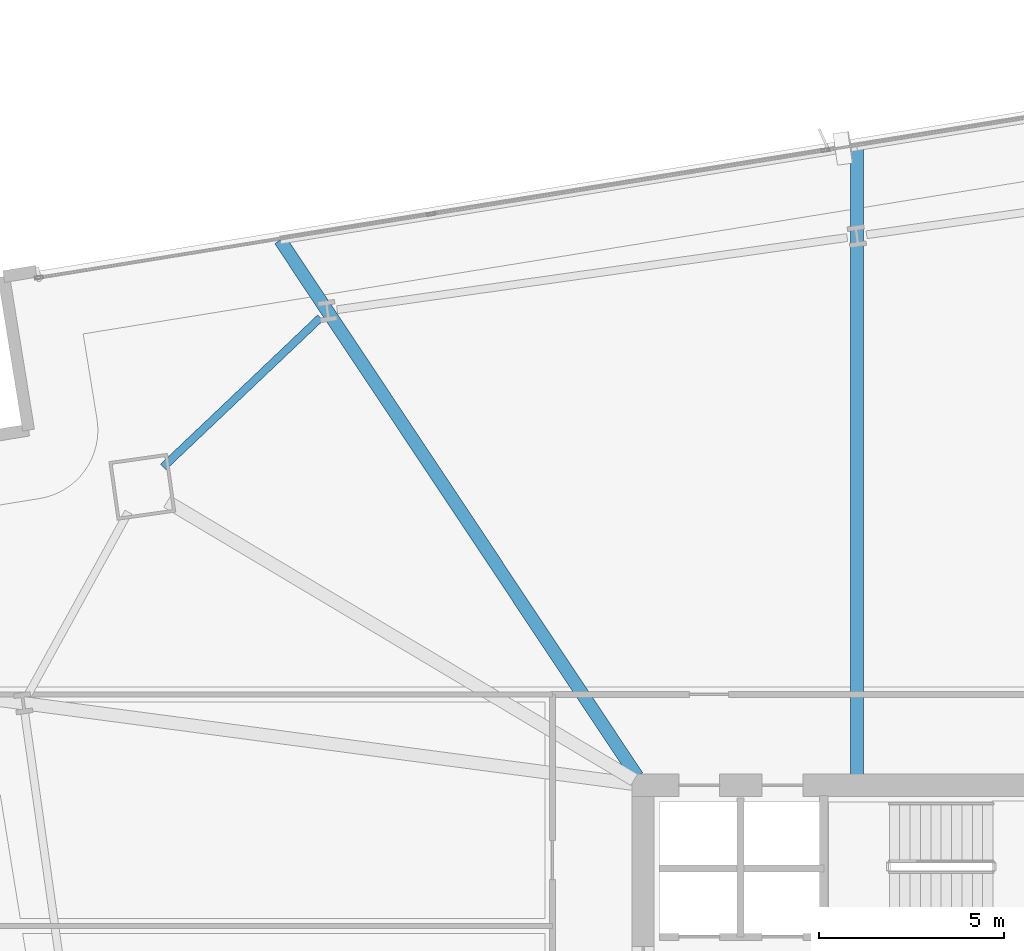
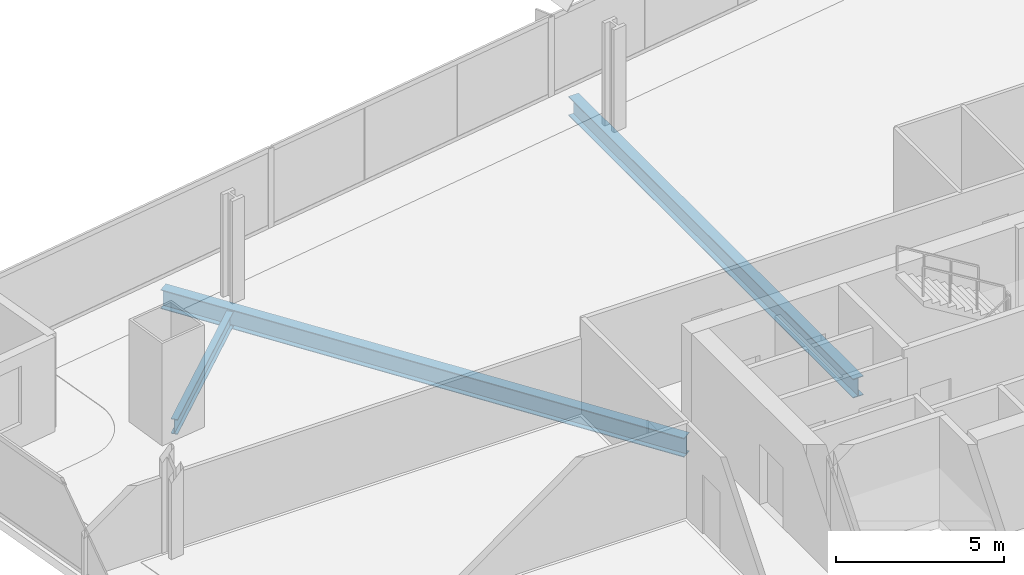
# One storey, part 17 of 33: 3 beams.
"""IFC4 building model written with IfcOpenShell, lengths in metres."""

import ifcopenshell
import ifcopenshell.guid

model = None  # the IFC model being written
_history = None  # IfcOwnerHistory: only IFC2X3 demands one
_inside = {}  # id of a spatial element -> (the spatial element, [elements in it])
_under = {}  # id of a project, library or spatial element -> (it, [spatial elements below it])
_declared = {}  # id of a project -> (the project, [libraries it declares])
_typed = {}  # id of a type object -> (the type object, [elements of that type])
_made_of = {}  # id of a material, layer set ... -> (it, [elements and type objects made of it])


def new_model(schema):
    """Start an empty IFC model of exactly this schema.

    Asked for "IFC4X3", IfcOpenShell would pick the latest addendum, in which some entities
    have other attributes; the version numbers below select the first issue.
    IFC2X3 requires an IfcOwnerHistory on every rooted entity: one is made here for all.
    """
    global model, _history
    if schema == "IFC4X3":
        model = ifcopenshell.file(schema_version=(4, 3, 0, 0))
    else:
        model = ifcopenshell.file(schema=schema)
    _inside.clear()
    _under.clear()
    _declared.clear()
    _typed.clear()
    _made_of.clear()
    _history = None
    if model.schema == "IFC2X3":
        org = make("IfcOrganization", Name="unknown")
        user = make(
            "IfcPersonAndOrganization",
            ThePerson=make("IfcPerson", FamilyName="unknown"),
            TheOrganization=org,
        )
        app = make(
            "IfcApplication",
            ApplicationDeveloper=org,
            Version="unknown",
            ApplicationFullName="unknown",
            ApplicationIdentifier="unknown",
        )
        _history = make(
            "IfcOwnerHistory",
            OwningUser=user,
            OwningApplication=app,
            ChangeAction="ADDED",
            CreationDate=0,
        )
    return model


def make(cls, **values):
    """One entity of the class cls with the attributes given. An attribute that is None is left unset."""
    return model.create_entity(
        cls, **{name: value for name, value in values.items() if value is not None}
    )


def rooted(cls, **values):
    """An entity with a GlobalId (a new one), such as an element, a storey or a relation."""
    return make(cls, GlobalId=ifcopenshell.guid.new(), OwnerHistory=_history, **values)


def si_unit(unit_type, name, prefix=None):
    """IfcSIUnit, for example si_unit("LENGTHUNIT", "METRE", prefix="MILLI")."""
    return make("IfcSIUnit", UnitType=unit_type, Prefix=prefix, Name=name)


def assignment(units):
    """IfcUnitAssignment: the units of a project."""
    return None if units is None else make("IfcUnitAssignment", Units=units)


def point(xyz):
    """IfcCartesianPoint."""
    return None if xyz is None else make("IfcCartesianPoint", Coordinates=xyz)


def direction(xyz):
    """IfcDirection."""
    return None if xyz is None else make("IfcDirection", DirectionRatios=xyz)


def frame(location, z_axis=None, x_axis=None):
    """IfcAxis2Placement3D, a coordinate frame: its origin and axes. An axis left out is left unset."""
    return make(
        "IfcAxis2Placement3D",
        Location=point(location),
        Axis=direction(z_axis),
        RefDirection=direction(x_axis),
    )


def frame_2d(location, x_axis=None):
    """IfcAxis2Placement2D, a coordinate frame in the plane: its origin and x axis."""
    return make(
        "IfcAxis2Placement2D", Location=point(location), RefDirection=direction(x_axis)
    )


def origin():
    """The frame at (0, 0, 0) with its axes left unset."""
    return frame((0.0, 0.0, 0.0))


def origin_2d():
    """The frame at (0, 0) in the plane with its x axis left unset."""
    return frame_2d((0.0, 0.0))


def place(relative_to, where):
    """IfcLocalPlacement: puts the frame where relative to a parent placement (None: the world)."""
    return make(
        "IfcLocalPlacement", PlacementRelTo=relative_to, RelativePlacement=where
    )


def context(
    kind, dimensions, precision=None, world=None, true_north=None, identifier=None
):
    """IfcGeometricRepresentationContext, for example the 3D "Model" context."""
    return make(
        "IfcGeometricRepresentationContext",
        ContextIdentifier=identifier,
        ContextType=kind,
        CoordinateSpaceDimension=dimensions,
        Precision=precision,
        WorldCoordinateSystem=world,
        TrueNorth=true_north,
    )


def subcontext(parent, identifier, kind, view, scale=None):
    """IfcGeometricRepresentationSubContext, for example "Body" below "Model"."""
    return make(
        "IfcGeometricRepresentationSubContext",
        ContextIdentifier=identifier,
        ContextType=kind,
        ParentContext=parent,
        TargetScale=scale,
        TargetView=view,
    )


def project(units=None, contexts=None):
    """IfcProject with its units and contexts."""
    return rooted(
        "IfcProject",
        Name="project",
        RepresentationContexts=contexts,
        UnitsInContext=assignment(units),
    )


def spatial(cls, under=None, at=None, **own):
    """A site, building, storey or space (cls), placed at a placement, below another one or the project."""
    s = rooted(cls, ObjectPlacement=at, **own)
    if under is not None:
        _under.setdefault(under.id(), (under, []))[1].append(s)
    return s


def profile(cls, at=None, kind="AREA", **sizes):
    """A parametric profile (cls). Its sizes go by their IFC names, for example OverallWidth=200.0."""
    return make(cls, ProfileType=kind, Position=at, **sizes)


def i_section(**sizes):
    """IfcIShapeProfileDef."""
    return profile("IfcIShapeProfileDef", **sizes)


def extrude(swept, where, along, depth):
    """IfcExtrudedAreaSolid: the profile swept, set in the frame where, extruded along a direction by depth."""
    return make(
        "IfcExtrudedAreaSolid",
        SweptArea=swept,
        Position=where,
        ExtrudedDirection=direction(along),
        Depth=depth,
    )


def shape(context_of_items, identifier, shape_type, items):
    """IfcShapeRepresentation: the items that make up one representation, for example the "Body"."""
    return make(
        "IfcShapeRepresentation",
        ContextOfItems=context_of_items,
        RepresentationIdentifier=identifier,
        RepresentationType=shape_type,
        Items=items,
    )


def material(Name=None, Category=None):
    """IfcMaterial."""
    return make("IfcMaterial", Name=Name, Category=Category)


def material_profile(
    of_material, cross_section, Name=None, Category=None, Priority=None
):
    """IfcMaterialProfile: a cross section and its material."""
    return make(
        "IfcMaterialProfile",
        Name=Name,
        Material=of_material,
        Profile=cross_section,
        Priority=Priority,
        Category=Category,
    )


def profile_set(profiles, Name=None, composite=None):
    """IfcMaterialProfileSet."""
    return make(
        "IfcMaterialProfileSet",
        Name=Name,
        MaterialProfiles=profiles,
        CompositeProfile=composite,
    )


def made_of(thing, what):
    """Note that an element or type object is made of a material, layer set ...; save() writes the relation."""
    if what is not None:
        _made_of.setdefault(what.id(), (what, []))[1].append(thing)
    return thing


def type_object(cls, material=None, **own):
    """A type object (cls), such as IfcWallType, which elements share."""
    return made_of(rooted(cls, **own), material)


def element(
    cls,
    number,
    at=None,
    inside=None,
    cuts=None,
    type_object=None,
    material=None,
    context=None,
    identifier="Body",
    shape_type=None,
    held_by="IfcProductDefinitionShape",
    body=None,
    shapes=None,
    **own,
):
    """One element of the class cls, such as IfcWall. Its Tag is "e" and its number.

    at: its placement. inside: the storey or other place that contains it. cuts: it is an
    opening in that element (IfcRelVoidsElement). A single representation is given by context,
    identifier, shape_type and body (its items); several are given by shapes. held_by: the class
    of the entity that holds the representations. save() writes the other relations.
    """
    e = rooted(cls, Tag="e%d" % number, ObjectPlacement=at, **own)
    if body is not None:
        shapes = [shape(context, identifier, shape_type, body)]
    if shapes is not None:
        e.Representation = make(held_by, Representations=shapes)
    if inside is not None:
        _inside.setdefault(inside.id(), (inside, []))[1].append(e)
    if cuts is not None:
        rooted(
            "IfcRelVoidsElement", RelatingBuildingElement=cuts, RelatedOpeningElement=e
        )
    if type_object is not None:
        _typed.setdefault(type_object.id(), (type_object, []))[1].append(e)
    return made_of(e, material)


def aggregate(whole, parts):
    """IfcRelAggregates: a whole, such as a stair, and the parts it consists of."""
    return rooted("IfcRelAggregates", RelatingObject=whole, RelatedObjects=parts)


def save(model, path):
    """Write the relations noted so far, then the file.

    IfcRelAggregates (storeys below a building ...), IfcRelContainedInSpatialStructure (elements
    in a storey), IfcRelDefinesByType, IfcRelAssociatesMaterial and IfcRelDeclares: one each for
    every whole, place, type object, material and project.
    """
    for whole, parts in _under.values():
        aggregate(whole, parts)
    for where, things in _inside.values():
        rooted(
            "IfcRelContainedInSpatialStructure",
            RelatedElements=things,
            RelatingStructure=where,
        )
    for kind, things in _typed.values():
        rooted("IfcRelDefinesByType", RelatedObjects=things, RelatingType=kind)
    for what, things in _made_of.values():
        rooted("IfcRelAssociatesMaterial", RelatedObjects=things, RelatingMaterial=what)
    for by, libraries in _declared.values():
        rooted("IfcRelDeclares", RelatingContext=by, RelatedDefinitions=libraries)
    model.write(path)


model = new_model("IFC4")

# Units and contexts
model_context = context("Model", 3, precision=1e-05, world=origin(), true_north=direction((0.0, 1.0)))
body_context = subcontext(model_context, "Body", "Model", "MODEL_VIEW")
ifc_project = project(units=[si_unit("LENGTHUNIT", "METRE"), si_unit("AREAUNIT", "SQUARE_METRE"), si_unit("VOLUMEUNIT", "CUBIC_METRE"), si_unit("PLANEANGLEUNIT", "RADIAN"), si_unit("MASSUNIT", "GRAM", prefix="KILO")], contexts=[model_context])

# Site, building, storey
site_placement = place(None, origin())
site = spatial("IfcSite", under=ifc_project, at=site_placement, CompositionType="ELEMENT")
building_placement = place(site_placement, origin())
building = spatial("IfcBuilding", under=site, at=building_placement, Name="Haldenkirk Collegiate Tower", CompositionType="ELEMENT")
storey_placement = place(building_placement, frame((0.0, 0.0, 58.949951171875)))
storey = spatial("IfcBuildingStorey", under=building, at=storey_placement, Name="L13", CompositionType="ELEMENT", Elevation=58.949951171875)

# Beams
ifc_material = material(Name="Steel ASTM A992 Grade 50", Category="steel")
ifc_material_profile_1 = material_profile(ifc_material, i_section(OverallWidth=0.35498046875, OverallDepth=0.696044921875, WebThickness=0.015380859375, FlangeThickness=0.02490234375, at=origin_2d()), Name="W27X146")
ifc_profile_set_1 = profile_set([ifc_material_profile_1], Name="Steel ASTM A992 Grade 50")
beam_type_1 = type_object("IfcBeamType", Name="BM-GIRDER-W27X146", PredefinedType="BEAM", material=ifc_profile_set_1)
beam_1_placement = place(storey_placement, frame((32.772216796875, 51.238525390625, -0.657958984375), z_axis=(0.0, -1.0, 0.0), x_axis=(1.0, 0.0, 0.0)))
element("IfcBeam", 1, at=beam_1_placement, inside=storey, type_object=beam_type_1, Name="L13 primary floor girder 12", PredefinedType="BEAM", context=body_context, shape_type="SweptSolid", body=[
    extrude(i_section(OverallWidth=0.35498046875, OverallDepth=0.696044921875, WebThickness=0.015380859375, FlangeThickness=0.02490234375, at=origin_2d()), origin(), (0.0, 0.0, 1.0), 16.95849609375),
])
beam_2_placement = place(storey_placement, frame((17.203125, 48.717041015625, -0.657958984375), z_axis=(0.554130173221, -0.832430027766, 0.0), x_axis=(0.832430027766, 0.554130173221, 0.0)))
element("IfcBeam", 2, at=beam_2_placement, inside=storey, type_object=beam_type_1, Name="L13 primary floor girder 13", PredefinedType="BEAM", context=body_context, shape_type="SweptSolid", body=[
    extrude(i_section(OverallWidth=0.35498046875, OverallDepth=0.696044921875, WebThickness=0.015380859375, FlangeThickness=0.02490234375, at=origin_2d()), origin(), (0.0, 0.0, 1.0), 17.3994140625),
])
ifc_material_profile_2 = material_profile(ifc_material, i_section(OverallWidth=0.2119140625, OverallDepth=0.5439453125, WebThickness=0.01318359375, FlangeThickness=0.021240234375, at=origin_2d()), Name="W21X83")
ifc_profile_set_2 = profile_set([ifc_material_profile_2], Name="Steel ASTM A992 Grade 50")
beam_type_2 = type_object("IfcBeamType", Name="BM-SPANDREL-W21X83", PredefinedType="SPANDREL", material=ifc_profile_set_2)
beam_3_placement = place(storey_placement, frame((18.28662109375, 46.619140625, -0.58203125), z_axis=(-0.725132817178, -0.688609030911, 0.0), x_axis=(0.688609030911, -0.725132817178, 0.0)))
element("IfcBeam", 3, at=beam_3_placement, inside=storey, type_object=beam_type_2, Name="L13 perimeter spandrel beam 12", PredefinedType="SPANDREL", context=body_context, shape_type="SweptSolid", body=[
    extrude(i_section(OverallWidth=0.2119140625, OverallDepth=0.5439453125, WebThickness=0.01318359375, FlangeThickness=0.021240234375, at=origin_2d()), origin(), (0.0, 0.0, 1.0), 5.848876953125),
])

save(model, "model.ifc")
